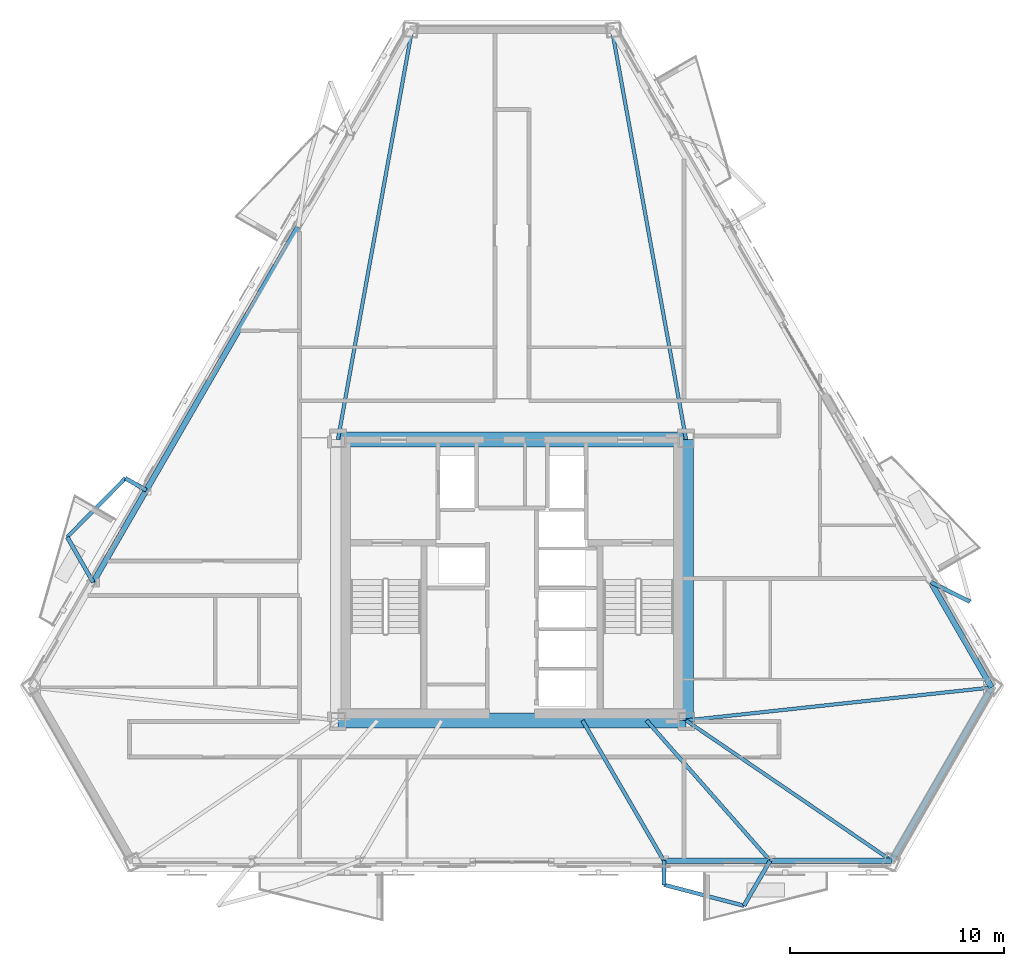
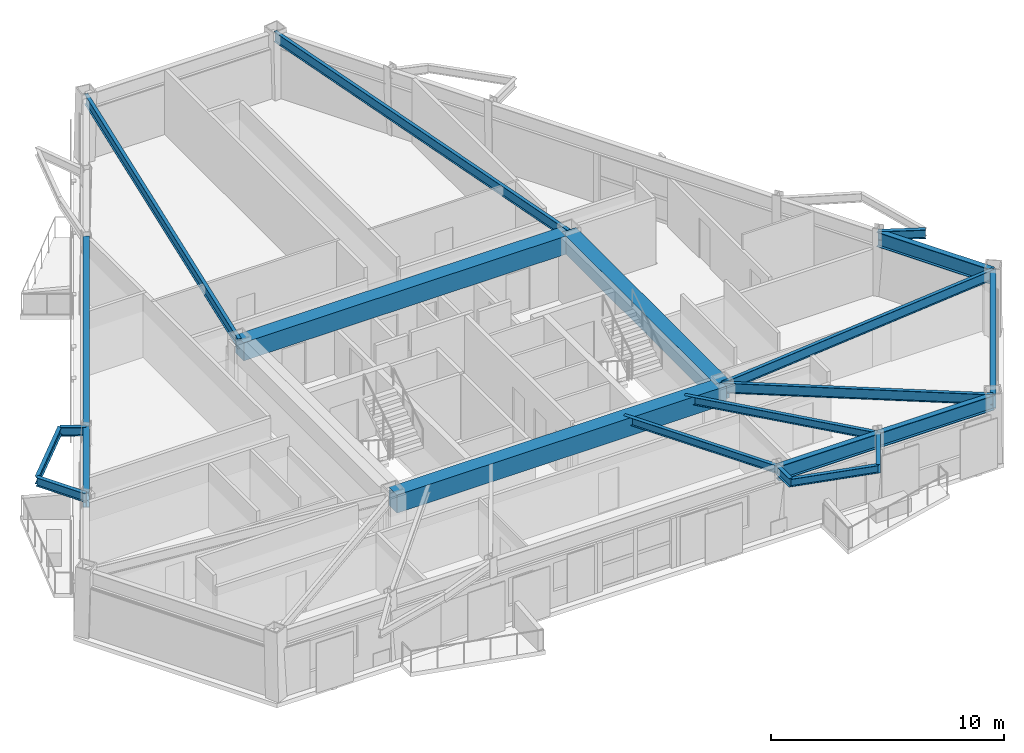
# One storey, part 3 of 14: 22 beams.
"""IFC4 building model written with IfcOpenShell, lengths in metres."""

from ifc_helpers import new_model, si_unit, direction, frame, origin, origin_2d, place, context, subcontext, project, spatial, rectangle, i_section, extrude, material, material_profile, profile_set, type_object, element, save


model = new_model("IFC4")

# Units and contexts
model_context = context("Model", 3, precision=1e-05, world=origin(), true_north=direction((0.0, 1.0)))
body_context = subcontext(model_context, "Body", "Model", "MODEL_VIEW")
ifc_project = project(units=[si_unit("LENGTHUNIT", "METRE"), si_unit("AREAUNIT", "SQUARE_METRE"), si_unit("VOLUMEUNIT", "CUBIC_METRE"), si_unit("PLANEANGLEUNIT", "RADIAN"), si_unit("MASSUNIT", "GRAM", prefix="KILO")], contexts=[model_context])

# Site, building, storey
site_placement = place(None, origin())
site = spatial("IfcSite", under=ifc_project, at=site_placement, CompositionType="ELEMENT")
building_placement = place(site_placement, origin())
building = spatial("IfcBuilding", under=site, at=building_placement, Name="Oramaril Tower", CompositionType="ELEMENT")
storey_placement = place(building_placement, frame((0.0, 0.0, 149.39990234375)))
storey = spatial("IfcBuildingStorey", under=building, at=storey_placement, Name="L39", CompositionType="ELEMENT", Elevation=149.39990234375)

# Beams
ifc_material_1 = material(Name="Steel ASTM A572 Gr 50", Category="steel")
ifc_material_profile_1 = material_profile(ifc_material_1, i_section(OverallWidth=0.19091796875, OverallDepth=0.45703125, WebThickness=0.009033203125, FlangeThickness=0.014404296875, at=origin_2d()), Name="W18X50")
ifc_profile_set_1 = profile_set([ifc_material_profile_1], Name="Steel ASTM A572 Gr 50")
beam_type_1 = type_object("IfcBeamType", Name="BT-BB1", PredefinedType="BEAM", material=ifc_profile_set_1)
beam_1_placement = place(storey_placement, frame((44.60791015625, 4.43408203125, 3.151611328125), z_axis=(0.004761850773, -0.999988662324, 0.0), x_axis=(0.999988662324, 0.004761850773, 0.0)))
element("IfcBeam", 1, at=beam_1_placement, inside=storey, type_object=beam_type_1, Name="L39 Balcony Column-Framed Cantilever 02.1", PredefinedType="BEAM", context=body_context, shape_type="SweptSolid", body=[
    extrude(i_section(OverallWidth=0.19091796875, OverallDepth=0.45703125, WebThickness=0.009033203125, FlangeThickness=0.014404296875, at=origin_2d()), origin(), (0.0, 0.0, 1.0), 1.1279296875),
])
beam_2_placement = place(storey_placement, frame((49.58349609375, 4.43408203125, 3.151611328125), z_axis=(-0.502787498482, -0.864410048166, 0.0), x_axis=(0.864410048166, -0.502787498482, 0.0)))
element("IfcBeam", 2, at=beam_2_placement, inside=storey, type_object=beam_type_1, Name="L39 Balcony Column-Framed Cantilever 02.2", PredefinedType="BEAM", context=body_context, shape_type="SweptSolid", body=[
    extrude(i_section(OverallWidth=0.19091796875, OverallDepth=0.45703125, WebThickness=0.009033203125, FlangeThickness=0.014404296875, at=origin_2d()), origin(), (0.0, 0.0, 1.0), 2.4384765625),
])
beam_3_placement = place(storey_placement, frame((57.10888671875, 17.468505859375, 3.151611328125), z_axis=(0.895549632496, -0.444961634005, 0.0), x_axis=(0.444961634005, 0.895549632496, 0.0)))
element("IfcBeam", 3, at=beam_3_placement, inside=storey, type_object=beam_type_1, Name="L39 Balcony Column-Framed Cantilever 03.1", PredefinedType="BEAM", context=body_context, shape_type="SweptSolid", body=[
    extrude(i_section(OverallWidth=0.19091796875, OverallDepth=0.45703125, WebThickness=0.009033203125, FlangeThickness=0.014404296875, at=origin_2d()), origin(), (0.0, 0.0, 1.0), 2.03955078125),
])
beam_4_placement = place(storey_placement, frame((20.37890625, 21.77734375, 3.151611328125), z_axis=(-0.868389622951, 0.495882509018, 0.0), x_axis=(-0.495882509018, -0.868389622951, 0.0)))
element("IfcBeam", 4, at=beam_4_placement, inside=storey, type_object=beam_type_1, Name="L39 Balcony Column-Framed Cantilever 06.1", PredefinedType="BEAM", context=body_context, shape_type="SweptSolid", body=[
    extrude(i_section(OverallWidth=0.19091796875, OverallDepth=0.45703125, WebThickness=0.009033203125, FlangeThickness=0.014404296875, at=origin_2d()), origin(), (0.0, 0.0, 1.0), 1.1279296875),
])
beam_5_placement = place(storey_placement, frame((17.89111328125, 17.468505859375, 3.151611328125), z_axis=(-0.497195220536, 0.867638699388, 0.0), x_axis=(-0.867638699388, -0.497195220536, 0.0)))
element("IfcBeam", 5, at=beam_5_placement, inside=storey, type_object=beam_type_1, Name="L39 Balcony Column-Framed Cantilever 06.2", PredefinedType="BEAM", context=body_context, shape_type="SweptSolid", body=[
    extrude(i_section(OverallWidth=0.19091796875, OverallDepth=0.45703125, WebThickness=0.009033203125, FlangeThickness=0.014404296875, at=origin_2d()), origin(), (0.0, 0.0, 1.0), 2.4384765625),
])
ifc_material_2 = material(Name="Concrete C50/60", Category="concrete")
ifc_material_profile_2 = material_profile(ifc_material_2, rectangle(XDim=0.699951171875, YDim=0.949951171875, at=origin_2d()), Name="CB700X950")
ifc_profile_set_2 = profile_set([ifc_material_profile_2], Name="Concrete C50/60")
beam_type_2 = type_object("IfcBeamType", Name="BT-CB1", PredefinedType="BEAM", material=ifc_profile_set_2)
beam_6_placement = place(storey_placement, frame((29.35009765625, 11.0, 2.905029296875), z_axis=(1.0, 0.0, 0.0), x_axis=(0.0, 1.0, 0.0)))
element("IfcBeam", 6, at=beam_6_placement, inside=storey, type_object=beam_type_2, Name="L39 Core Header Beam CB-1", PredefinedType="BEAM", context=body_context, shape_type="SweptSolid", body=[
    extrude(rectangle(XDim=0.699951171875, YDim=0.949951171875, at=origin_2d()), origin(), (0.0, 0.0, 1.0), 16.2998046875),
])
beam_7_placement = place(storey_placement, frame((45.64990234375, 11.0, 2.905029296875), z_axis=(0.0, 1.0, 0.0), x_axis=(-1.0, 0.0, 0.0)))
element("IfcBeam", 7, at=beam_7_placement, inside=storey, type_object=beam_type_2, Name="L39 Core Header Beam CB-2", PredefinedType="BEAM", context=body_context, shape_type="SweptSolid", body=[
    extrude(rectangle(XDim=0.699951171875, YDim=0.949951171875, at=origin_2d()), origin(), (0.0, 0.0, 1.0), 13.14990234375),
])
beam_8_placement = place(storey_placement, frame((45.64990234375, 24.14990234375, 2.905029296875), z_axis=(-1.0, 0.0, 0.0), x_axis=(0.0, -1.0, 0.0)))
element("IfcBeam", 8, at=beam_8_placement, inside=storey, type_object=beam_type_2, Name="L39 Core Header Beam CB-3", PredefinedType="BEAM", context=body_context, shape_type="SweptSolid", body=[
    extrude(rectangle(XDim=0.699951171875, YDim=0.949951171875, at=origin_2d()), origin(), (0.0, 0.0, 1.0), 16.2998046875),
])
ifc_material_3 = material(Name="Steel ASTM A572 Gr 50", Category="steel")
ifc_material_profile_3 = material_profile(ifc_material_3, i_section(OverallWidth=0.166015625, OverallDepth=0.528076171875, WebThickness=0.009765625, FlangeThickness=0.013671875, at=origin_2d()), Name="W21X50")
ifc_profile_set_3 = profile_set([ifc_material_profile_3], Name="Steel ASTM A572 Gr 50")
beam_type_3 = type_object("IfcBeamType", Name="BT-FB3", PredefinedType="BEAM", material=ifc_profile_set_3)
beam_9_placement = place(storey_placement, frame((45.64990234375, 11.0, 3.1162109375), z_axis=(0.825950957971, -0.563741975577, 0.0), x_axis=(0.563741975577, 0.825950957971, 0.0)))
element("IfcBeam", 9, at=beam_9_placement, inside=storey, type_object=beam_type_3, Name="L39 Radial Primary Beam RB-03", PredefinedType="BEAM", context=body_context, shape_type="SweptSolid", body=[
    extrude(i_section(OverallWidth=0.166015625, OverallDepth=0.528076171875, WebThickness=0.009765625, FlangeThickness=0.013671875, at=origin_2d()), origin(), (0.0, 0.0, 1.0), 11.64697265625),
])
beam_10_placement = place(storey_placement, frame((45.64990234375, 11.0, 3.1162109375), z_axis=(0.994223505255, 0.107329500132, 0.0), x_axis=(-0.107329500132, 0.994223505255, 0.0)))
element("IfcBeam", 10, at=beam_10_placement, inside=storey, type_object=beam_type_3, Name="L39 Radial Primary Beam RB-04", PredefinedType="BEAM", context=body_context, shape_type="SweptSolid", body=[
    extrude(i_section(OverallWidth=0.166015625, OverallDepth=0.528076171875, WebThickness=0.009765625, FlangeThickness=0.013671875, at=origin_2d()), origin(), (0.0, 0.0, 1.0), 14.385009765625),
])
for number, where, z_axis, x_axis, name in (
    (11, (45.64990234375, 24.14990234375, 3.1162109375), (-0.177987756112, 0.984032702035, 0.0), (-0.984032702035, -0.177987756112, 0.0), "L39 Radial Primary Beam RB-05"),
    (12, (29.35009765625, 24.14990234375, 3.1162109375), (0.177987756112, 0.984032702035, 0.0), (-0.984032702035, 0.177987756112, 0.0), "L39 Radial Primary Beam RB-06"),
):
    element("IfcBeam", number, at=place(storey_placement, frame(where, z_axis=z_axis, x_axis=x_axis)), inside=storey, type_object=beam_type_3, Name=name, PredefinedType="BEAM", context=body_context, shape_type="SweptSolid", body=[
        extrude(i_section(OverallWidth=0.166015625, OverallDepth=0.528076171875, WebThickness=0.009765625, FlangeThickness=0.013671875, at=origin_2d()), origin(), (0.0, 0.0, 1.0), 19.483154296875),
    ])
ifc_material_4 = material(Name="Steel ASTM A572 Gr 50", Category="steel")
ifc_material_profile_4 = material_profile(ifc_material_4, i_section(OverallWidth=0.177978515625, OverallDepth=0.404052734375, WebThickness=0.007568359375, FlangeThickness=0.010986328125, at=origin_2d()), Name="W16X36")
ifc_profile_set_4 = profile_set([ifc_material_profile_4], Name="Steel ASTM A572 Gr 50")
beam_type_4 = type_object("IfcBeamType", Name="BT-SB1", PredefinedType="BEAM", material=ifc_profile_set_4)
beam_11_placement = place(storey_placement, frame((40.800048828125, 11.0, 3.177978515625), z_axis=(0.501681505075, -0.865052407352, 0.0), x_axis=(0.865052407352, 0.501681505075, 0.0)))
element("IfcBeam", 13, at=beam_11_placement, inside=storey, type_object=beam_type_4, Name="L39 Secondary Floor Beam SB-03", PredefinedType="BEAM", context=body_context, shape_type="SweptSolid", body=[
    extrude(i_section(OverallWidth=0.177978515625, OverallDepth=0.404052734375, WebThickness=0.007568359375, FlangeThickness=0.010986328125, at=origin_2d()), origin(), (0.0, 0.0, 1.0), 7.590087890625),
])
beam_12_placement = place(storey_placement, frame((43.800048828125, 11.0, 3.177978515625), z_axis=(0.660978174504, -0.750405125802, 0.0), x_axis=(0.750405125802, 0.660978174504, 0.0)))
element("IfcBeam", 14, at=beam_12_placement, inside=storey, type_object=beam_type_4, Name="L39 Secondary Floor Beam SB-04", PredefinedType="BEAM", context=body_context, shape_type="SweptSolid", body=[
    extrude(i_section(OverallWidth=0.177978515625, OverallDepth=0.404052734375, WebThickness=0.007568359375, FlangeThickness=0.010986328125, at=origin_2d()), origin(), (0.0, 0.0, 1.0), 8.749755859375),
])
beam_13_placement = place(storey_placement, frame((44.61328125, 3.30615234375, 3.177978515625), z_axis=(0.967411967632, -0.253207592467, 0.0), x_axis=(0.253207592467, 0.967411967632, 0.0)))
element("IfcBeam", 15, at=beam_13_placement, inside=storey, type_object=beam_type_4, Name="L39 Balcony Edge Tie Beam 02", PredefinedType="BEAM", context=body_context, shape_type="SweptSolid", body=[
    extrude(i_section(OverallWidth=0.177978515625, OverallDepth=0.404052734375, WebThickness=0.007568359375, FlangeThickness=0.010986328125, at=origin_2d()), origin(), (0.0, 0.0, 1.0), 3.870361328125),
])
beam_14_placement = place(storey_placement, frame((19.3994140625, 22.336669921875, 3.177978515625), z_axis=(-0.702994511648, -0.71119527318, 0.0), x_axis=(0.71119527318, -0.702994511648, 0.0)))
element("IfcBeam", 16, at=beam_14_placement, inside=storey, type_object=beam_type_4, Name="L39 Balcony Edge Tie Beam 06", PredefinedType="BEAM", context=body_context, shape_type="SweptSolid", body=[
    extrude(i_section(OverallWidth=0.177978515625, OverallDepth=0.404052734375, WebThickness=0.007568359375, FlangeThickness=0.010986328125, at=origin_2d()), origin(), (0.0, 0.0, 1.0), 3.8701171875),
])
ifc_material_5 = material(Name="Steel ASTM A572 Gr 50", Category="steel")
ifc_material_profile_5 = material_profile(ifc_material_5, i_section(OverallWidth=0.26708984375, OverallDepth=0.77001953125, WebThickness=0.015625, FlangeThickness=0.025390625, at=origin_2d()), Name="W30X132")
ifc_profile_set_5 = profile_set([ifc_material_profile_5], Name="Steel ASTM A572 Gr 50")
beam_type_5 = type_object("IfcBeamType", Name="BT-SP3", PredefinedType="SPANDREL", material=ifc_profile_set_5)
beam_15_placement = place(storey_placement, frame((44.60791015625, 4.43408203125, 2.9951171875), z_axis=(1.0, 0.0, 0.0), x_axis=(0.0, 1.0, 0.0)))
element("IfcBeam", 17, at=beam_15_placement, inside=storey, type_object=beam_type_5, Name="L39 Perimeter Spandrel 05", PredefinedType="SPANDREL", context=body_context, shape_type="SweptSolid", body=[
    extrude(i_section(OverallWidth=0.26708984375, OverallDepth=0.77001953125, WebThickness=0.015625, FlangeThickness=0.025390625, at=origin_2d()), origin(), (0.0, 0.0, 1.0), 4.9755859375),
])
beam_16_placement = place(storey_placement, frame((49.58349609375, 4.43408203125, 2.9951171875), z_axis=(1.0, 0.0, 0.0), x_axis=(0.0, 1.0, 0.0)))
element("IfcBeam", 18, at=beam_16_placement, inside=storey, type_object=beam_type_5, Name="L39 Perimeter Spandrel 06", PredefinedType="SPANDREL", context=body_context, shape_type="SweptSolid", body=[
    extrude(i_section(OverallWidth=0.26708984375, OverallDepth=0.77001953125, WebThickness=0.015625, FlangeThickness=0.025390625, at=origin_2d()), origin(), (0.0, 0.0, 1.0), 5.686279296875),
])
beam_17_placement = place(storey_placement, frame((55.269775390625, 4.43408203125, 2.9951171875), z_axis=(0.499991763293, 0.866030159197, 0.0), x_axis=(-0.866030159197, 0.499991763293, 0.0)))
element("IfcBeam", 19, at=beam_17_placement, inside=storey, type_object=beam_type_5, Name="L39 Perimeter Spandrel 07", PredefinedType="SPANDREL", context=body_context, shape_type="SweptSolid", body=[
    extrude(i_section(OverallWidth=0.26708984375, OverallDepth=0.77001953125, WebThickness=0.015625, FlangeThickness=0.025390625, at=origin_2d()), origin(), (0.0, 0.0, 1.0), 9.364501953125),
])
beam_18_placement = place(storey_placement, frame((59.951904296875, 12.5439453125, 2.9951171875), z_axis=(-0.499976419567, 0.866039017526, 0.0), x_axis=(-0.866039017526, -0.499976419567, 0.0)))
element("IfcBeam", 20, at=beam_18_placement, inside=storey, type_object=beam_type_5, Name="L39 Perimeter Spandrel 08", PredefinedType="SPANDREL", context=body_context, shape_type="SweptSolid", body=[
    extrude(i_section(OverallWidth=0.26708984375, OverallDepth=0.77001953125, WebThickness=0.015625, FlangeThickness=0.025390625, at=origin_2d()), origin(), (0.0, 0.0, 1.0), 5.686279296875),
])
beam_19_placement = place(storey_placement, frame((27.48681640625, 34.088623046875, 2.9951171875), z_axis=(-0.499999458709, -0.866025716299, 0.0), x_axis=(0.866025716299, -0.499999458709, 0.0)))
element("IfcBeam", 21, at=beam_19_placement, inside=storey, type_object=beam_type_5, Name="L39 Perimeter Spandrel 16", PredefinedType="SPANDREL", context=body_context, shape_type="SweptSolid", body=[
    extrude(i_section(OverallWidth=0.26708984375, OverallDepth=0.77001953125, WebThickness=0.015625, FlangeThickness=0.025390625, at=origin_2d()), origin(), (0.0, 0.0, 1.0), 14.2158203125),
])
beam_20_placement = place(storey_placement, frame((20.37890625, 21.77734375, 2.9951171875), z_axis=(-0.500012700186, -0.866018071205, 0.0), x_axis=(0.866018071205, -0.500012700186, 0.0)))
element("IfcBeam", 22, at=beam_20_placement, inside=storey, type_object=beam_type_5, Name="L39 Perimeter Spandrel 17", PredefinedType="SPANDREL", context=body_context, shape_type="SweptSolid", body=[
    extrude(i_section(OverallWidth=0.26708984375, OverallDepth=0.77001953125, WebThickness=0.015625, FlangeThickness=0.025390625, at=origin_2d()), origin(), (0.0, 0.0, 1.0), 4.975341796875),
])

save(model, "model.ifc")
